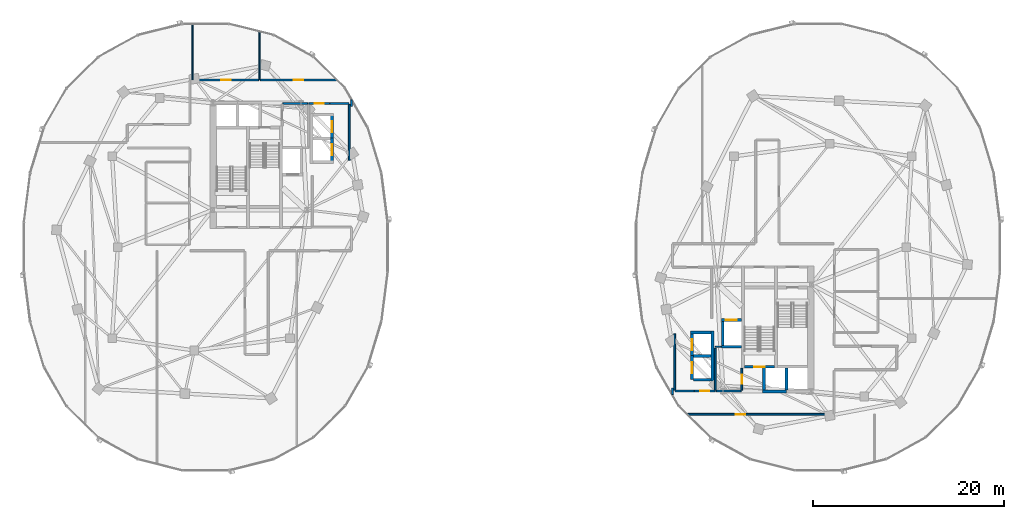
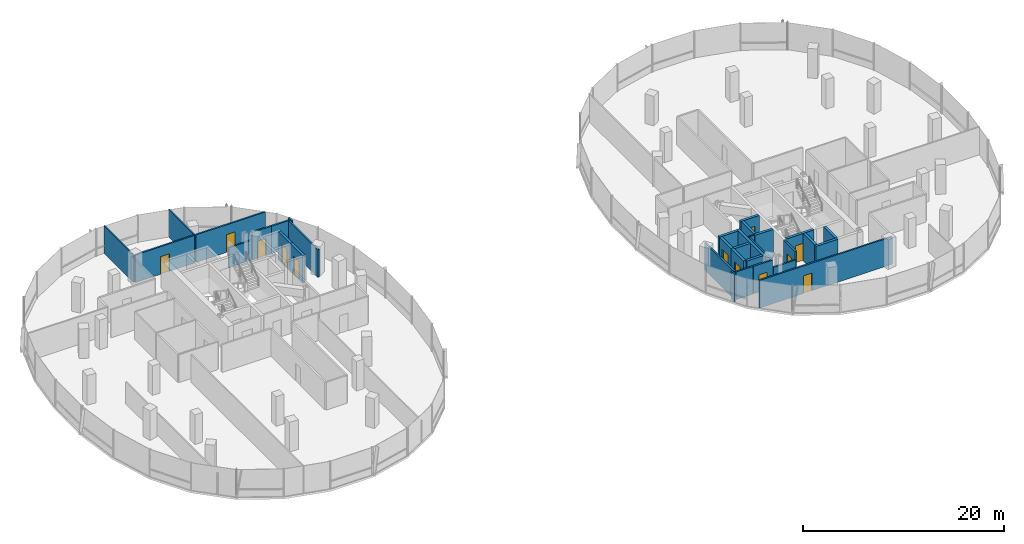
# One storey, part 13 of 22: 33 walls, 12 doors, 12 openings.
"""IFC4 building model written with IfcOpenShell, lengths in metres."""

from ifc_helpers import new_model, si_unit, direction, frame, frame_2d, origin, place, context, subcontext, project, spatial, rectangle, extrude, material, layer, layer_set, type_object, element, fill, save


model = new_model("IFC4")

# Units and contexts
model_context = context("Model", 3, precision=1e-05, world=origin(), true_north=direction((0.0, 1.0)))
body_context = subcontext(model_context, "Body", "Model", "MODEL_VIEW")
ifc_project = project(units=[si_unit("LENGTHUNIT", "METRE"), si_unit("AREAUNIT", "SQUARE_METRE"), si_unit("VOLUMEUNIT", "CUBIC_METRE"), si_unit("PLANEANGLEUNIT", "RADIAN"), si_unit("MASSUNIT", "GRAM", prefix="KILO"), si_unit("THERMODYNAMICTEMPERATUREUNIT", "KELVIN"), si_unit("POWERUNIT", "WATT")], contexts=[model_context])

# Site, building, storey
site_placement = place(None, origin())
site = spatial("IfcSite", under=ifc_project, at=site_placement, CompositionType="ELEMENT")
building_placement = place(site_placement, origin())
building = spatial("IfcBuilding", under=site, at=building_placement, Name="Cundina Bronze Exchange", CompositionType="ELEMENT")
storey_placement = place(building_placement, frame((0.0, 0.0, 140.39990234375)))
storey = spatial("IfcBuildingStorey", under=building, at=storey_placement, Name="L36", CompositionType="ELEMENT", Elevation=140.39990234375)

# Wall
ifc_material_1 = material(Name="Gypsum Fireboard Partition EI120")
ifc_layer_1 = layer(ifc_material_1, 0.179931640625, Name="Gypsum Fireboard Partition EI120")
ifc_layer_set_1 = layer_set([ifc_layer_1], Name="Gypsum Fireboard Partition EI120")
wall_type_1 = type_object("IfcWallType", Name="WL-COR-180", PredefinedType="PARTITIONING", material=ifc_layer_set_1)
wall_1_placement = place(storey_placement, frame((-17.02001953125, 9.070068359375, 0.0), z_axis=(0.0, 0.0, 1.0), x_axis=(0.0, 1.0, 0.0)))
element("IfcWall", 1, at=wall_1_placement, inside=storey, type_object=wall_type_1, Name="L36 Interior Partition 001", PredefinedType="PARTITIONING", context=body_context, shape_type="SweptSolid", body=[
    extrude(rectangle(XDim=5.85986328125, YDim=0.179931640625, at=frame_2d((2.929931640625, 0.0))), origin(), (0.0, 0.0, 1.0), 3.360107421875),
])

# Wall, opening, door
wall_2_placement = place(storey_placement, frame((-21.22998046875, 15.030029296875, 0.0), z_axis=(0.0, 0.0, 1.0), x_axis=(1.0, 0.0, 0.0)))
wall_2 = element("IfcWall", 2, at=wall_2_placement, inside=storey, type_object=wall_type_1, Name="L36 Interior Partition 002", PredefinedType="PARTITIONING", context=body_context, shape_type="SweptSolid", body=[
    extrude(rectangle(XDim=2.159912109375, YDim=0.179931640625, at=frame_2d((1.080078125, 0.0))), origin(), (0.0, 0.0, 1.0), 3.360107421875),
])
opening_1_placement = place(wall_2_placement, frame((0.60498046875, 0.0, 0.0)))
opening_1 = element("IfcOpeningElement", 3, at=opening_1_placement, cuts=wall_2, Name="Opening DW-01", PredefinedType="OPENING", context=body_context, shape_type="SweptSolid", body=[
    extrude(rectangle(XDim=0.949951171875, YDim=2.10009765625, at=frame_2d((0.47509765625, 1.050048828125))), frame((0.0, 0.099853515625, 0.0), z_axis=(0.0, -1.0, 0.0), x_axis=(1.0, 0.0, 0.0)), (0.0, 0.0, 1.0), 0.199951171875),
])
ifc_material_2 = material(Name="Solid Andean Oak Timber Grade A", Category="wood")
door_type_1 = type_object("IfcDoorType", Name="DR-WC-950", OperationType="NOTDEFINED", PredefinedType="DOOR", material=ifc_material_2)
door_1_placement = place(opening_1_placement, origin())
door_1 = element("IfcDoor", 4, at=door_1_placement, inside=storey, type_object=door_type_1, Name="L36 Interior Door 002", OperationType="SINGLE_SWING_LEFT", OverallHeight=2.10009765625, OverallWidth=0.949951171875, PredefinedType="DOOR", context=body_context, shape_type="SweptSolid", body=[
    extrude(rectangle(XDim=0.949951171875, YDim=2.10009765625, at=frame_2d((0.47509765625, 1.050048828125))), frame((0.0, 0.02490234375, 0.0), z_axis=(0.0, -1.0, 0.0), x_axis=(1.0, 0.0, 0.0)), (0.0, 0.0, 1.0), 0.050048828125),
])
fill(opening_1, door_1)

# Walls
wall_3_placement = place(storey_placement, frame((-19.030029296875, 15.030029296875, 0.0), z_axis=(0.0, 0.0, 1.0), x_axis=(1.0, 0.0, 0.0)))
element("IfcWall", 5, at=wall_3_placement, inside=storey, type_object=wall_type_1, Name="L36 Interior Partition 003", PredefinedType="PARTITIONING", context=body_context, shape_type="SweptSolid", body=[
    extrude(rectangle(XDim=1.989990234375, YDim=0.179931640625, at=frame_2d((0.9951171875, 0.0))), origin(), (0.0, 0.0, 1.0), 3.360107421875),
])
wall_4_placement = place(storey_placement, frame((-23.9599609375, 15.030029296875, 0.0), z_axis=(0.0, 0.0, 1.0), x_axis=(1.0, 0.0, 0.0)))
element("IfcWall", 6, at=wall_4_placement, inside=storey, type_object=wall_type_1, Name="L36 Interior Partition 006", PredefinedType="PARTITIONING", context=body_context, shape_type="SweptSolid", body=[
    extrude(rectangle(XDim=2.60986328125, YDim=0.179931640625, at=frame_2d((1.304931640625, 0.0))), origin(), (0.0, 0.0, 1.0), 2.43310546875),
])
wall_5_placement = place(storey_placement, frame((-16.780029296875, 14.721435546875, 0.0), z_axis=(0.0, 0.0, 1.0), x_axis=(0.0, 1.0, 0.0)))
element("IfcWall", 7, at=wall_5_placement, inside=storey, type_object=wall_type_1, Name="L36 Interior Partition 032", PredefinedType="PARTITIONING", context=body_context, shape_type="SweptSolid", body=[
    extrude(rectangle(XDim=0.68359375, YDim=0.179931640625, at=frame_2d((0.341796875, 0.0))), origin(), (0.0, 0.0, 1.0), 3.360107421875),
])

# Wall, opening, door
wall_6_placement = place(storey_placement, frame((-18.341796875, 17.469970703125, 0.0), z_axis=(0.0, 0.0, 1.0), x_axis=(-1.0, 0.0, 0.0)))
wall_6 = element("IfcWall", 8, at=wall_6_placement, inside=storey, type_object=wall_type_1, Name="L36 Interior Partition 036", PredefinedType="PARTITIONING", context=body_context, shape_type="SweptSolid", body=[
    extrude(rectangle(XDim=7.96826171875, YDim=0.179931640625, at=frame_2d((3.984130859375, 0.0))), origin(), (0.0, 0.0, 1.0), 3.360107421875),
])
opening_2_placement = place(wall_6_placement, frame((3.484130859375, 0.0, 0.0)))
opening_2 = element("IfcOpeningElement", 9, at=opening_2_placement, cuts=wall_6, Name="Opening DO-01", PredefinedType="OPENING", context=body_context, shape_type="SweptSolid", body=[
    extrude(rectangle(XDim=1.0, YDim=2.14990234375, at=frame_2d((0.5, 1.074951171875))), frame((0.0, 0.099853515625, 0.0), z_axis=(0.0, -1.0, 0.0), x_axis=(1.0, 0.0, 0.0)), (0.0, 0.0, 1.0), 0.199951171875),
])
door_type_2 = type_object("IfcDoorType", Name="DR-OFF-1000", OperationType="NOTDEFINED", PredefinedType="DOOR", material=ifc_material_2)
door_2_placement = place(opening_2_placement, origin())
door_2 = element("IfcDoor", 10, at=door_2_placement, inside=storey, type_object=door_type_2, Name="L36 Interior Door 036", OperationType="SINGLE_SWING_LEFT", OverallHeight=2.14990234375, OverallWidth=1.0, PredefinedType="DOOR", context=body_context, shape_type="SweptSolid", body=[
    extrude(rectangle(XDim=1.0, YDim=2.14990234375, at=frame_2d((0.5, 1.074951171875))), frame((0.0, 0.02490234375, 0.0), z_axis=(0.0, -1.0, 0.0), x_axis=(1.0, 0.0, 0.0)), (0.0, 0.0, 1.0), 0.050048828125),
])
fill(opening_2, door_2)

wall_7_placement = place(storey_placement, frame((-26.489990234375, 17.469970703125, 0.0), z_axis=(0.0, 0.0, 1.0), x_axis=(-1.0, 0.0, 0.0)))
wall_7 = element("IfcWall", 11, at=wall_7_placement, inside=storey, type_object=wall_type_1, Name="L36 Interior Partition 037", PredefinedType="PARTITIONING", context=body_context, shape_type="SweptSolid", body=[
    extrude(rectangle(XDim=6.820068359375, YDim=0.179931640625, at=frame_2d((3.41015625, 0.0))), origin(), (0.0, 0.0, 1.0), 3.360107421875),
])
opening_3_placement = place(wall_7_placement, frame((2.909912109375, 0.0, 0.0)))
opening_3 = element("IfcOpeningElement", 12, at=opening_3_placement, cuts=wall_7, Name="Opening DO-01", PredefinedType="OPENING", context=body_context, shape_type="SweptSolid", body=[
    extrude(rectangle(XDim=1.0, YDim=2.14990234375, at=frame_2d((0.5, 1.074951171875))), frame((0.0, 0.099853515625, 0.0), z_axis=(0.0, -1.0, 0.0), x_axis=(1.0, 0.0, 0.0)), (0.0, 0.0, 1.0), 0.199951171875),
])
door_3_placement = place(opening_3_placement, origin())
door_3 = element("IfcDoor", 13, at=door_3_placement, inside=storey, type_object=door_type_2, Name="L36 Interior Door 037", OperationType="SINGLE_SWING_RIGHT", OverallHeight=2.14990234375, OverallWidth=1.0, PredefinedType="DOOR", context=body_context, shape_type="SweptSolid", body=[
    extrude(rectangle(XDim=1.0, YDim=2.14990234375, at=frame_2d((0.5, 1.074951171875))), frame((0.0, 0.02490234375, 0.0), z_axis=(0.0, -1.0, 0.0), x_axis=(1.0, 0.0, 0.0)), (0.0, 0.0, 1.0), 0.050048828125),
])
fill(opening_3, door_3)

# Walls
wall_8_placement = place(storey_placement, frame((17.02001953125, -14.929931640625, 0.0), z_axis=(0.0, 0.0, 1.0), x_axis=(0.0, 1.0, 0.0)))
element("IfcWall", 14, at=wall_8_placement, inside=storey, type_object=wall_type_1, Name="L36 Interior Partition 038", PredefinedType="PARTITIONING", context=body_context, shape_type="SweptSolid", body=[
    extrude(rectangle(XDim=5.85986328125, YDim=0.179931640625, at=frame_2d((2.929931640625, 0.0))), origin(), (0.0, 0.0, 1.0), 3.360107421875),
])
wall_9_placement = place(storey_placement, frame((17.0400390625, -15.030029296875, 0.0), z_axis=(0.0, 0.0, 1.0), x_axis=(1.0, 0.0, 0.0)))
element("IfcWall", 15, at=wall_9_placement, inside=storey, type_object=wall_type_1, Name="L36 Interior Partition 039", PredefinedType="PARTITIONING", context=body_context, shape_type="SweptSolid", body=[
    extrude(rectangle(XDim=1.989990234375, YDim=0.179931640625, at=frame_2d((0.9951171875, 0.0))), origin(), (0.0, 0.0, 1.0), 3.360107421875),
])

# Wall, opening, door
wall_10_placement = place(storey_placement, frame((21.22998046875, -15.030029296875, 0.0), z_axis=(0.0, 0.0, 1.0), x_axis=(-1.0, 0.0, 0.0)))
wall_10 = element("IfcWall", 16, at=wall_10_placement, inside=storey, type_object=wall_type_1, Name="L36 Interior Partition 040", PredefinedType="PARTITIONING", context=body_context, shape_type="SweptSolid", body=[
    extrude(rectangle(XDim=2.159912109375, YDim=0.179931640625, at=frame_2d((1.080078125, 0.0))), origin(), (0.0, 0.0, 1.0), 3.360107421875),
])
opening_4_placement = place(wall_10_placement, frame((0.60498046875, 0.0, 0.0)))
opening_4 = element("IfcOpeningElement", 17, at=opening_4_placement, cuts=wall_10, Name="Opening DW-01", PredefinedType="OPENING", context=body_context, shape_type="SweptSolid", body=[
    extrude(rectangle(XDim=0.949951171875, YDim=2.10009765625, at=frame_2d((0.47509765625, 1.050048828125))), frame((0.0, 0.099853515625, 0.0), z_axis=(0.0, -1.0, 0.0), x_axis=(1.0, 0.0, 0.0)), (0.0, 0.0, 1.0), 0.199951171875),
])
door_4_placement = place(opening_4_placement, origin())
door_4 = element("IfcDoor", 18, at=door_4_placement, inside=storey, type_object=door_type_1, Name="L36 Interior Door 040", OperationType="SINGLE_SWING_RIGHT", OverallHeight=2.10009765625, OverallWidth=0.949951171875, PredefinedType="DOOR", context=body_context, shape_type="SweptSolid", body=[
    extrude(rectangle(XDim=0.949951171875, YDim=2.10009765625, at=frame_2d((0.47509765625, 1.050048828125))), frame((0.0, 0.02490234375, 0.0), z_axis=(0.0, -1.0, 0.0), x_axis=(1.0, 0.0, 0.0)), (0.0, 0.0, 1.0), 0.050048828125),
])
fill(opening_4, door_4)

# Walls
wall_11_placement = place(storey_placement, frame((21.25, -14.929931640625, 0.0), z_axis=(0.0, 0.0, 1.0), x_axis=(0.0, 1.0, 0.0)))
element("IfcWall", 19, at=wall_11_placement, inside=storey, type_object=wall_type_1, Name="L36 Interior Partition 042", PredefinedType="PARTITIONING", context=body_context, shape_type="SweptSolid", body=[
    extrude(rectangle(XDim=4.35986328125, YDim=0.179931640625, at=frame_2d((2.179931640625, 0.0))), origin(), (0.0, 0.0, 1.0), 3.360107421875),
])
wall_12_placement = place(storey_placement, frame((21.35009765625, -15.030029296875, 0.0), z_axis=(0.0, 0.0, 1.0), x_axis=(1.0, 0.0, 0.0)))
element("IfcWall", 20, at=wall_12_placement, inside=storey, type_object=wall_type_1, Name="L36 Interior Partition 043", PredefinedType="PARTITIONING", context=body_context, shape_type="SweptSolid", body=[
    extrude(rectangle(XDim=2.60986328125, YDim=0.179931640625, at=frame_2d((1.304931640625, 0.0))), origin(), (0.0, 0.0, 1.0), 2.43310546875),
])

# Wall, opening, door
wall_13_placement = place(storey_placement, frame((24.02001953125, -14.929931640625, 0.0), z_axis=(0.0, 0.0, 1.0), x_axis=(0.0, 1.0, 0.0)))
wall_13 = element("IfcWall", 21, at=wall_13_placement, inside=storey, type_object=wall_type_1, Name="L36 Interior Partition 045", PredefinedType="PARTITIONING", context=body_context, shape_type="SweptSolid", body=[
    extrude(rectangle(XDim=2.260009765625, YDim=0.179931640625, at=frame_2d((1.1298828125, 0.0))), origin(), (0.0, 0.0, 1.0), 3.360107421875),
])
opening_5_placement = place(wall_13_placement, frame((0.655029296875, 0.0, 0.0)))
opening_5 = element("IfcOpeningElement", 22, at=opening_5_placement, cuts=wall_13, Name="Opening DW-01", PredefinedType="OPENING", context=body_context, shape_type="SweptSolid", body=[
    extrude(rectangle(XDim=0.949951171875, YDim=2.10009765625, at=frame_2d((0.47509765625, 1.050048828125))), frame((0.0, 0.099853515625, 0.0), z_axis=(0.0, -1.0, 0.0), x_axis=(1.0, 0.0, 0.0)), (0.0, 0.0, 1.0), 0.199951171875),
])
door_5_placement = place(opening_5_placement, origin())
door_5 = element("IfcDoor", 23, at=door_5_placement, inside=storey, type_object=door_type_1, Name="L36 Interior Door 045", OperationType="SINGLE_SWING_RIGHT", OverallHeight=2.10009765625, OverallWidth=0.949951171875, PredefinedType="DOOR", context=body_context, shape_type="SweptSolid", body=[
    extrude(rectangle(XDim=0.949951171875, YDim=2.10009765625, at=frame_2d((0.47509765625, 1.050048828125))), frame((0.0, 0.02490234375, 0.0), z_axis=(0.0, -1.0, 0.0), x_axis=(1.0, 0.0, 0.0)), (0.0, 0.0, 1.0), 0.050048828125),
])
fill(opening_5, door_5)

wall_14_placement = place(storey_placement, frame((18.341796875, -17.469970703125, 0.0), z_axis=(0.0, 0.0, 1.0), x_axis=(1.0, 0.0, 0.0)))
wall_14 = element("IfcWall", 24, at=wall_14_placement, inside=storey, type_object=wall_type_1, Name="L36 Interior Partition 057", PredefinedType="PARTITIONING", context=body_context, shape_type="SweptSolid", body=[
    extrude(rectangle(XDim=15.28662109375, YDim=0.179931640625, at=frame_2d((7.643310546875, 0.0))), origin(), (0.0, 0.0, 1.0), 3.360107421875),
])
opening_6_placement = place(wall_14_placement, frame((5.036376953125, 0.0, 0.0)))
opening_6 = element("IfcOpeningElement", 25, at=opening_6_placement, cuts=wall_14, Name="Opening DO-01", PredefinedType="OPENING", context=body_context, shape_type="SweptSolid", body=[
    extrude(rectangle(XDim=1.0, YDim=2.14990234375, at=frame_2d((0.5, 1.074951171875))), frame((0.0, 0.099853515625, 0.0), z_axis=(0.0, -1.0, 0.0), x_axis=(1.0, 0.0, 0.0)), (0.0, 0.0, 1.0), 0.199951171875),
])
door_6_placement = place(opening_6_placement, origin())
door_6 = element("IfcDoor", 26, at=door_6_placement, inside=storey, type_object=door_type_2, Name="L36 Interior Door 057", OperationType="SINGLE_SWING_RIGHT", OverallHeight=2.14990234375, OverallWidth=1.0, PredefinedType="DOOR", context=body_context, shape_type="SweptSolid", body=[
    extrude(rectangle(XDim=1.0, YDim=2.14990234375, at=frame_2d((0.5, 1.074951171875))), frame((0.0, 0.02490234375, 0.0), z_axis=(0.0, -1.0, 0.0), x_axis=(1.0, 0.0, 0.0)), (0.0, 0.0, 1.0), 0.050048828125),
])
fill(opening_6, door_6)

# Walls
wall_15_placement = place(storey_placement, frame((16.780029296875, -14.721435546875, 0.0), z_axis=(0.0, 0.0, 1.0), x_axis=(0.0, -1.0, 0.0)))
element("IfcWall", 27, at=wall_15_placement, inside=storey, type_object=wall_type_1, Name="L36 Interior Partition 066", PredefinedType="PARTITIONING", context=body_context, shape_type="SweptSolid", body=[
    extrude(rectangle(XDim=0.68359375, YDim=0.179931640625, at=frame_2d((0.341796875, 0.0))), origin(), (0.0, 0.0, 1.0), 3.360107421875),
])
ifc_material_3 = material(Name="Gypsum Acoustic Partition EI60")
ifc_layer_2 = layer(ifc_material_3, 0.125, Name="Gypsum Acoustic Partition EI60")
ifc_layer_set_2 = layer_set([ifc_layer_2], Name="Gypsum Acoustic Partition EI60")
wall_type_2 = type_object("IfcWallType", Name="WL-OFF-125", PredefinedType="PARTITIONING", material=ifc_layer_set_2)
wall_16_placement = place(storey_placement, frame((-33.39990234375, 17.5, 0.0), z_axis=(0.0, 0.0, 1.0), x_axis=(0.0, 1.0, 0.0)))
element("IfcWall", 28, at=wall_16_placement, inside=storey, type_object=wall_type_2, Name="L36 Interior Partition 020", PredefinedType="PARTITIONING", context=body_context, shape_type="SweptSolid", body=[
    extrude(rectangle(XDim=5.902099609375, YDim=0.125, at=frame_2d((2.951171875, 0.0))), origin(), (0.0, 0.0, 1.0), 3.360107421875),
])
wall_17_placement = place(storey_placement, frame((-26.39990234375, 17.5, 0.0), z_axis=(0.0, 0.0, 1.0), x_axis=(0.0, 1.0, 0.0)))
element("IfcWall", 29, at=wall_17_placement, inside=storey, type_object=wall_type_2, Name="L36 Interior Partition 021", PredefinedType="PARTITIONING", context=body_context, shape_type="SweptSolid", body=[
    extrude(rectangle(XDim=5.111083984375, YDim=0.125, at=frame_2d((2.5556640625, 0.0))), origin(), (0.0, 0.0, 1.0), 3.360107421875),
])

# Wall, opening, door
ifc_material_4 = material(Name="Concrete C50/60", Category="concrete")
ifc_layer_3 = layer(ifc_material_4, 0.300048828125, Name="Concrete C50/60", Category="concrete")
ifc_layer_set_3 = layer_set([ifc_layer_3], Name="Concrete C50/60")
wall_type_3 = type_object("IfcWallType", Name="WL-SHFT-300", PredefinedType="SHEAR", material=ifc_layer_set_3)
wall_18_placement = place(storey_placement, frame((-18.800048828125, 8.929931640625, 0.0), z_axis=(0.0, 0.0, 1.0), x_axis=(0.0, 1.0, 0.0)))
wall_18 = element("IfcWall", 30, at=wall_18_placement, inside=storey, type_object=wall_type_3, Name="L36 PM-W2 Hoistway Front Wall", PredefinedType="SHEAR", context=body_context, shape_type="SweptSolid", body=[
    extrude(rectangle(XDim=2.489990234375, YDim=0.300048828125, at=frame_2d((1.2451171875, 0.0))), origin(), (0.0, 0.0, 1.0), 3.360107421875),
])
opening_7_placement = place(wall_18_placement, frame((0.669921875, 0.0, 0.0)))
opening_7 = element("IfcOpeningElement", 31, at=opening_7_placement, cuts=wall_18, Name="Opening LD-01", PredefinedType="OPENING", context=body_context, shape_type="SweptSolid", body=[
    extrude(rectangle(XDim=1.14990234375, YDim=2.199951171875, at=frame_2d((0.574951171875, 1.10009765625))), frame((0.0, 0.159912109375, 0.0), z_axis=(0.0, -1.0, 0.0), x_axis=(1.0, 0.0, 0.0)), (0.0, 0.0, 1.0), 0.320068359375),
])
ifc_material_5 = material(Name="Steel ASTM A36 Painted", Category="steel")
door_type_3 = type_object("IfcDoorType", Name="DR-LND-1150", OperationType="NOTDEFINED", PredefinedType="TRAPDOOR", material=ifc_material_5)
door_7_placement = place(opening_7_placement, origin())
door_7 = element("IfcDoor", 32, at=door_7_placement, inside=storey, type_object=door_type_3, Name="L36 PM-W2 Sliding Landing Door", OperationType="SLIDING_TO_LEFT", OverallHeight=2.199951171875, OverallWidth=1.14990234375, PredefinedType="TRAPDOOR", context=body_context, shape_type="SweptSolid", body=[
    extrude(rectangle(XDim=1.14990234375, YDim=2.199951171875, at=frame_2d((0.574951171875, 1.10009765625))), frame((0.0, 0.02490234375, 0.0), z_axis=(0.0, -1.0, 0.0), x_axis=(1.0, 0.0, 0.0)), (0.0, 0.0, 1.0), 0.050048828125),
])
fill(opening_7, door_7)

wall_19_placement = place(storey_placement, frame((-18.800048828125, 11.330078125, 0.0), z_axis=(0.0, 0.0, 1.0), x_axis=(0.0, 1.0, 0.0)))
wall_19 = element("IfcWall", 33, at=wall_19_placement, inside=storey, type_object=wall_type_3, Name="L36 PM-W1 Hoistway Front Wall", PredefinedType="SHEAR", context=body_context, shape_type="SweptSolid", body=[
    extrude(rectangle(XDim=2.489990234375, YDim=0.300048828125, at=frame_2d((1.2451171875, 0.0))), origin(), (0.0, 0.0, 1.0), 3.360107421875),
])
opening_8_placement = place(wall_19_placement, frame((0.669921875, 0.0, 0.0)))
opening_8 = element("IfcOpeningElement", 34, at=opening_8_placement, cuts=wall_19, Name="Opening LD-01", PredefinedType="OPENING", context=body_context, shape_type="SweptSolid", body=[
    extrude(rectangle(XDim=1.14990234375, YDim=2.199951171875, at=frame_2d((0.574951171875, 1.10009765625))), frame((0.0, 0.159912109375, 0.0), z_axis=(0.0, -1.0, 0.0), x_axis=(1.0, 0.0, 0.0)), (0.0, 0.0, 1.0), 0.320068359375),
])
door_8_placement = place(opening_8_placement, origin())
door_8 = element("IfcDoor", 35, at=door_8_placement, inside=storey, type_object=door_type_3, Name="L36 PM-W1 Sliding Landing Door", OperationType="SLIDING_TO_LEFT", OverallHeight=2.199951171875, OverallWidth=1.14990234375, PredefinedType="TRAPDOOR", context=body_context, shape_type="SweptSolid", body=[
    extrude(rectangle(XDim=1.14990234375, YDim=2.199951171875, at=frame_2d((0.574951171875, 1.10009765625))), frame((0.0, 0.02490234375, 0.0), z_axis=(0.0, -1.0, 0.0), x_axis=(1.0, 0.0, 0.0)), (0.0, 0.0, 1.0), 0.050048828125),
])
fill(opening_8, door_8)

wall_20_placement = place(storey_placement, frame((24.280029296875, -12.5, 0.0), z_axis=(0.0, 0.0, 1.0), x_axis=(1.0, 0.0, 0.0)))
wall_20 = element("IfcWall", 36, at=wall_20_placement, inside=storey, type_object=wall_type_3, Name="L36 Stair E2 Landing Wall", PredefinedType="SHEAR", context=body_context, shape_type="SweptSolid", body=[
    extrude(rectangle(XDim=3.159912109375, YDim=0.300048828125, at=frame_2d((1.580078125, 0.0))), origin(), (0.0, 0.0, 1.0), 3.360107421875),
])
opening_9_placement = place(wall_20_placement, frame((1.030029296875, 0.0, 0.0)))
opening_9 = element("IfcOpeningElement", 37, at=opening_9_placement, cuts=wall_20, Name="Opening DS-01", PredefinedType="OPENING", context=body_context, shape_type="SweptSolid", body=[
    extrude(rectangle(XDim=1.10009765625, YDim=2.14990234375, at=frame_2d((0.550048828125, 1.074951171875))), frame((0.0, 0.159912109375, 0.0), z_axis=(0.0, -1.0, 0.0), x_axis=(1.0, 0.0, 0.0)), (0.0, 0.0, 1.0), 0.320068359375),
])
door_type_4 = type_object("IfcDoorType", Name="DR-STR-1100", OperationType="NOTDEFINED", PredefinedType="DOOR", material=ifc_material_5)
door_9_placement = place(opening_9_placement, origin())
door_9 = element("IfcDoor", 38, at=door_9_placement, inside=storey, type_object=door_type_4, Name="L36 Smokeproof Stair E2 Door", OperationType="SINGLE_SWING_RIGHT", OverallHeight=2.14990234375, OverallWidth=1.10009765625, PredefinedType="DOOR", context=body_context, shape_type="SweptSolid", body=[
    extrude(rectangle(XDim=1.10009765625, YDim=2.14990234375, at=frame_2d((0.550048828125, 1.074951171875))), frame((0.0, 0.02490234375, 0.0), z_axis=(0.0, -1.0, 0.0), x_axis=(1.0, 0.0, 0.0)), (0.0, 0.0, 1.0), 0.050048828125),
])
fill(opening_9, door_9)

wall_21_placement = place(storey_placement, frame((21.8798828125, -7.60009765625, 0.0), z_axis=(0.0, 0.0, 1.0), x_axis=(1.0, 0.0, 0.0)))
wall_21 = element("IfcWall", 39, at=wall_21_placement, inside=storey, type_object=wall_type_3, Name="L36 FFL-E Hoistway Front Wall", PredefinedType="SHEAR", context=body_context, shape_type="SweptSolid", body=[
    extrude(rectangle(XDim=2.10009765625, YDim=0.300048828125, at=frame_2d((1.050048828125, 0.0))), origin(), (0.0, 0.0, 1.0), 3.360107421875),
])
opening_10_placement = place(wall_21_placement, frame((0.47509765625, 0.0, 0.0)))
opening_10 = element("IfcOpeningElement", 40, at=opening_10_placement, cuts=wall_21, Name="Opening LD-01", PredefinedType="OPENING", context=body_context, shape_type="SweptSolid", body=[
    extrude(rectangle(XDim=1.14990234375, YDim=2.199951171875, at=frame_2d((0.574951171875, 1.10009765625))), frame((0.0, 0.159912109375, 0.0), z_axis=(0.0, -1.0, 0.0), x_axis=(1.0, 0.0, 0.0)), (0.0, 0.0, 1.0), 0.320068359375),
])
door_10_placement = place(opening_10_placement, origin())
door_10 = element("IfcDoor", 41, at=door_10_placement, inside=storey, type_object=door_type_3, Name="L36 FFL-E Sliding Landing Door", OperationType="SLIDING_TO_LEFT", OverallHeight=2.199951171875, OverallWidth=1.14990234375, PredefinedType="TRAPDOOR", context=body_context, shape_type="SweptSolid", body=[
    extrude(rectangle(XDim=1.14990234375, YDim=2.199951171875, at=frame_2d((0.574951171875, 1.10009765625))), frame((0.0, 0.02490234375, 0.0), z_axis=(0.0, -1.0, 0.0), x_axis=(1.0, 0.0, 0.0)), (0.0, 0.0, 1.0), 0.050048828125),
])
fill(opening_10, door_10)

# Walls
wall_22_placement = place(storey_placement, frame((21.8798828125, -10.39990234375, 0.0), z_axis=(0.0, 0.0, 1.0), x_axis=(1.0, 0.0, 0.0)))
element("IfcWall", 42, at=wall_22_placement, inside=storey, type_object=wall_type_3, Name="L36 FFL-E Hoistway Back Wall", PredefinedType="SHEAR", context=body_context, shape_type="SweptSolid", body=[
    extrude(rectangle(XDim=2.10009765625, YDim=0.300048828125, at=frame_2d((1.050048828125, 0.0))), origin(), (0.0, 0.0, 1.0), 3.360107421875),
])
wall_23_placement = place(storey_placement, frame((22.030029296875, -10.25, 0.0), z_axis=(0.0, 0.0, 1.0), x_axis=(0.0, 1.0, 0.0)))
element("IfcWall", 43, at=wall_23_placement, inside=storey, type_object=wall_type_3, Name="L36 FFL-E Hoistway Side Wall", PredefinedType="SHEAR", context=body_context, shape_type="SweptSolid", body=[
    extrude(rectangle(XDim=2.5, YDim=0.300048828125, at=frame_2d((1.25, 0.0))), origin(), (0.0, 0.0, 1.0), 3.360107421875),
])
wall_24_placement = place(storey_placement, frame((28.699951171875, -14.949951171875, 0.0), z_axis=(0.0, 0.0, 1.0), x_axis=(0.0, 1.0, 0.0)))
element("IfcWall", 44, at=wall_24_placement, inside=storey, type_object=wall_type_3, Name="L36 PH-E1 Hoistway Divider Wall", PredefinedType="SHEAR", context=body_context, shape_type="SweptSolid", body=[
    extrude(rectangle(XDim=2.300048828125, YDim=0.300048828125, at=frame_2d((1.14990234375, 0.0))), origin(), (0.0, 0.0, 1.0), 3.360107421875),
])
wall_25_placement = place(storey_placement, frame((26.199951171875, -15.10009765625, 0.0), z_axis=(0.0, 0.0, 1.0), x_axis=(1.0, 0.0, 0.0)))
element("IfcWall", 45, at=wall_25_placement, inside=storey, type_object=wall_type_3, Name="L36 PH-E2 Hoistway Front Wall", PredefinedType="SHEAR", context=body_context, shape_type="SweptSolid", body=[
    extrude(rectangle(XDim=2.5, YDim=0.300048828125, at=frame_2d((1.25, 0.0))), origin(), (0.0, 0.0, 1.0), 3.360107421875),
])
wall_26_placement = place(storey_placement, frame((26.35009765625, -14.949951171875, 0.0), z_axis=(0.0, 0.0, 1.0), x_axis=(0.0, 1.0, 0.0)))
element("IfcWall", 46, at=wall_26_placement, inside=storey, type_object=wall_type_3, Name="L36 PH-E2 Hoistway Divider Wall", PredefinedType="SHEAR", context=body_context, shape_type="SweptSolid", body=[
    extrude(rectangle(XDim=2.300048828125, YDim=0.300048828125, at=frame_2d((1.14990234375, 0.0))), origin(), (0.0, 0.0, 1.0), 3.360107421875),
])
wall_27_placement = place(storey_placement, frame((20.949951171875, -14.0, 0.0), z_axis=(0.0, 0.0, 1.0), x_axis=(0.0, 1.0, 0.0)))
element("IfcWall", 47, at=wall_27_placement, inside=storey, type_object=wall_type_3, Name="L36 E Passenger Bank Hoistway Back Wall", PredefinedType="SHEAR", context=body_context, shape_type="SweptSolid", body=[
    extrude(rectangle(XDim=5.25, YDim=0.300048828125, at=frame_2d((2.625, 0.0))), origin(), (0.0, 0.0, 1.0), 3.360107421875),
])
wall_28_placement = place(storey_placement, frame((18.949951171875, -13.85009765625, 0.0), z_axis=(0.0, 0.0, 1.0), x_axis=(1.0, 0.0, 0.0)))
element("IfcWall", 48, at=wall_28_placement, inside=storey, type_object=wall_type_3, Name="L36 E Passenger Bank South Cap Wall", PredefinedType="SHEAR", context=body_context, shape_type="SweptSolid", body=[
    extrude(rectangle(XDim=1.85009765625, YDim=0.300048828125, at=frame_2d((0.925048828125, 0.0))), origin(), (0.0, 0.0, 1.0), 3.360107421875),
])
wall_29_placement = place(storey_placement, frame((18.64990234375, -8.89990234375, 0.0), z_axis=(0.0, 0.0, 1.0), x_axis=(1.0, 0.0, 0.0)))
element("IfcWall", 49, at=wall_29_placement, inside=storey, type_object=wall_type_3, Name="L36 E Passenger Bank North Cap Wall", PredefinedType="SHEAR", context=body_context, shape_type="SweptSolid", body=[
    extrude(rectangle(XDim=2.150146484375, YDim=0.300048828125, at=frame_2d((1.0751953125, 0.0))), origin(), (0.0, 0.0, 1.0), 3.360107421875),
])
wall_30_placement = place(storey_placement, frame((18.949951171875, -11.375, 0.0), z_axis=(0.0, 0.0, 1.0), x_axis=(1.0, 0.0, 0.0)))
element("IfcWall", 50, at=wall_30_placement, inside=storey, type_object=wall_type_3, Name="L36 E Passenger Hoistway Divider 1", PredefinedType="SHEAR", context=body_context, shape_type="SweptSolid", body=[
    extrude(rectangle(XDim=1.85009765625, YDim=0.300048828125, at=frame_2d((0.925048828125, 0.0))), origin(), (0.0, 0.0, 1.0), 3.360107421875),
])

# Wall, opening, door
wall_31_placement = place(storey_placement, frame((18.800048828125, -13.820068359375, 0.0), z_axis=(0.0, 0.0, 1.0), x_axis=(0.0, 1.0, 0.0)))
wall_31 = element("IfcWall", 51, at=wall_31_placement, inside=storey, type_object=wall_type_3, Name="L36 PM-E1 Hoistway Front Wall", PredefinedType="SHEAR", context=body_context, shape_type="SweptSolid", body=[
    extrude(rectangle(XDim=2.489990234375, YDim=0.300048828125, at=frame_2d((1.2451171875, 0.0))), origin(), (0.0, 0.0, 1.0), 3.360107421875),
])
opening_11_placement = place(wall_31_placement, frame((0.669921875, 0.0, 0.0)))
opening_11 = element("IfcOpeningElement", 52, at=opening_11_placement, cuts=wall_31, Name="Opening LD-01", PredefinedType="OPENING", context=body_context, shape_type="SweptSolid", body=[
    extrude(rectangle(XDim=1.14990234375, YDim=2.199951171875, at=frame_2d((0.574951171875, 1.10009765625))), frame((0.0, 0.159912109375, 0.0), z_axis=(0.0, -1.0, 0.0), x_axis=(1.0, 0.0, 0.0)), (0.0, 0.0, 1.0), 0.320068359375),
])
door_11_placement = place(opening_11_placement, origin())
door_11 = element("IfcDoor", 53, at=door_11_placement, inside=storey, type_object=door_type_3, Name="L36 PM-E1 Sliding Landing Door", OperationType="SLIDING_TO_LEFT", OverallHeight=2.199951171875, OverallWidth=1.14990234375, PredefinedType="TRAPDOOR", context=body_context, shape_type="SweptSolid", body=[
    extrude(rectangle(XDim=1.14990234375, YDim=2.199951171875, at=frame_2d((0.574951171875, 1.10009765625))), frame((0.0, 0.02490234375, 0.0), z_axis=(0.0, -1.0, 0.0), x_axis=(1.0, 0.0, 0.0)), (0.0, 0.0, 1.0), 0.050048828125),
])
fill(opening_11, door_11)

wall_32_placement = place(storey_placement, frame((18.800048828125, -11.419921875, 0.0), z_axis=(0.0, 0.0, 1.0), x_axis=(0.0, 1.0, 0.0)))
wall_32 = element("IfcWall", 54, at=wall_32_placement, inside=storey, type_object=wall_type_3, Name="L36 PM-E2 Hoistway Front Wall", PredefinedType="SHEAR", context=body_context, shape_type="SweptSolid", body=[
    extrude(rectangle(XDim=2.489990234375, YDim=0.300048828125, at=frame_2d((1.2451171875, 0.0))), origin(), (0.0, 0.0, 1.0), 3.360107421875),
])
opening_12_placement = place(wall_32_placement, frame((0.669921875, 0.0, 0.0)))
opening_12 = element("IfcOpeningElement", 55, at=opening_12_placement, cuts=wall_32, Name="Opening LD-01", PredefinedType="OPENING", context=body_context, shape_type="SweptSolid", body=[
    extrude(rectangle(XDim=1.14990234375, YDim=2.199951171875, at=frame_2d((0.574951171875, 1.10009765625))), frame((0.0, 0.159912109375, 0.0), z_axis=(0.0, -1.0, 0.0), x_axis=(1.0, 0.0, 0.0)), (0.0, 0.0, 1.0), 0.320068359375),
])
door_12_placement = place(opening_12_placement, origin())
door_12 = element("IfcDoor", 56, at=door_12_placement, inside=storey, type_object=door_type_3, Name="L36 PM-E2 Sliding Landing Door", OperationType="SLIDING_TO_LEFT", OverallHeight=2.199951171875, OverallWidth=1.14990234375, PredefinedType="TRAPDOOR", context=body_context, shape_type="SweptSolid", body=[
    extrude(rectangle(XDim=1.14990234375, YDim=2.199951171875, at=frame_2d((0.574951171875, 1.10009765625))), frame((0.0, 0.02490234375, 0.0), z_axis=(0.0, -1.0, 0.0), x_axis=(1.0, 0.0, 0.0)), (0.0, 0.0, 1.0), 0.050048828125),
])
fill(opening_12, door_12)

# Wall
ifc_material_6 = material(Name="Moisture-Resistant Masonry Block Grade M15", Category="masonry")
ifc_layer_4 = layer(ifc_material_6, 0.139892578125, Name="Moisture-Resistant Masonry Block Grade M15", Category="masonry")
ifc_layer_set_4 = layer_set([ifc_layer_4], Name="Moisture-Resistant Masonry Block Grade M15")
wall_type_4 = type_object("IfcWallType", Name="WL-WET-140", PredefinedType="PARTITIONING", material=ifc_layer_set_4)
wall_33_placement = place(storey_placement, frame((21.27001953125, -10.39990234375, 0.0), z_axis=(0.0, 0.0, 1.0), x_axis=(1.0, 0.0, 0.0)))
element("IfcWall", 57, at=wall_33_placement, inside=storey, type_object=wall_type_4, Name="L36 Interior Partition 041", PredefinedType="PARTITIONING", context=body_context, shape_type="SweptSolid", body=[
    extrude(rectangle(XDim=0.590087890625, YDim=0.139892578125, at=frame_2d((0.294921875, 0.0))), origin(), (0.0, 0.0, 1.0), 3.360107421875),
])

save(model, "model.ifc")
